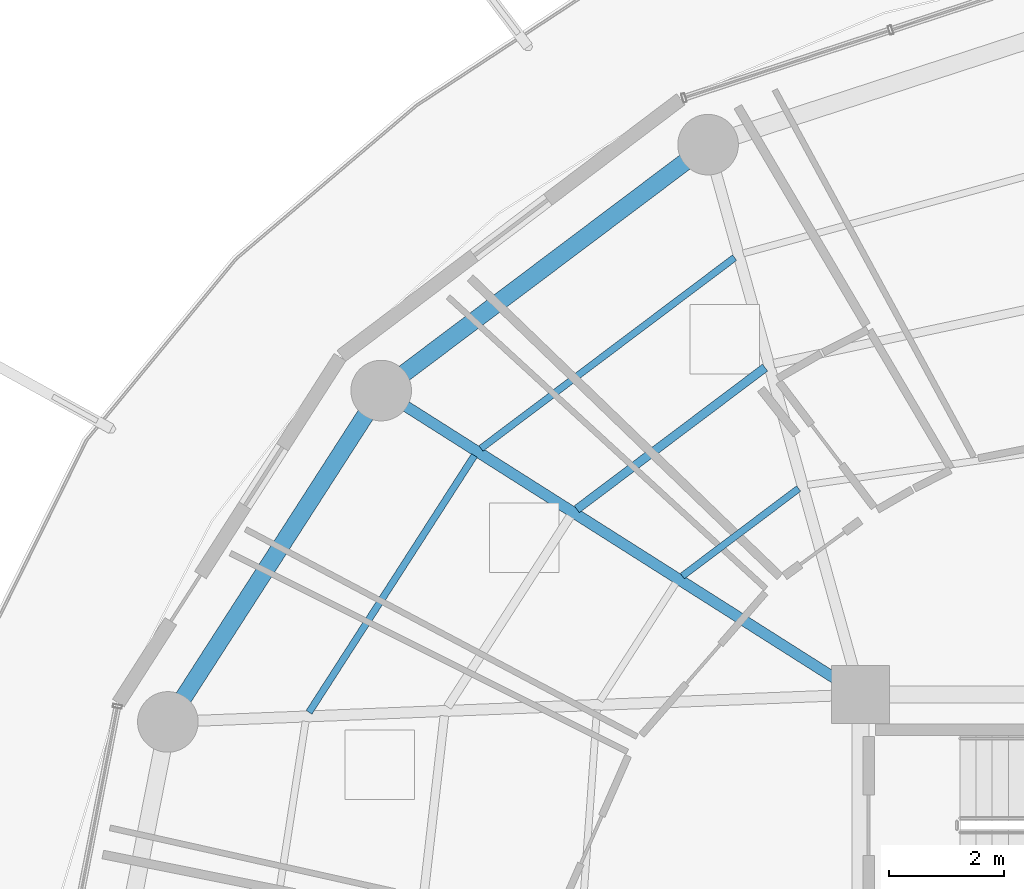
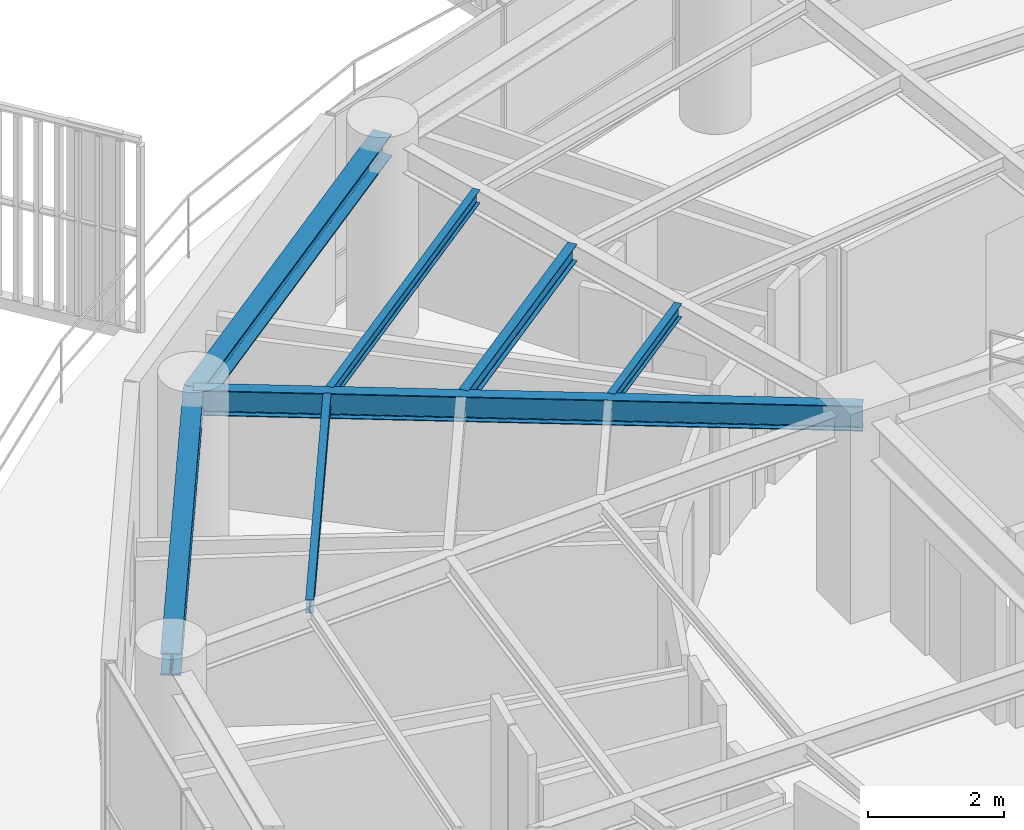
# One storey, part 16 of 30: 7 beams.
"""IFC4 building model written with IfcOpenShell, lengths in metres."""

from ifc_helpers import new_model, si_unit, direction, frame, origin, origin_2d, place, context, subcontext, project, spatial, i_section, extrude, material, material_profile, profile_set, type_object, element, save


model = new_model("IFC4")

# Units and contexts
model_context = context("Model", 3, precision=1e-05, world=origin(), true_north=direction((0.0, 1.0)))
body_context = subcontext(model_context, "Body", "Model", "MODEL_VIEW")
ifc_project = project(units=[si_unit("LENGTHUNIT", "METRE"), si_unit("AREAUNIT", "SQUARE_METRE"), si_unit("VOLUMEUNIT", "CUBIC_METRE"), si_unit("PLANEANGLEUNIT", "RADIAN"), si_unit("MASSUNIT", "GRAM", prefix="KILO")], contexts=[model_context])

# Site, building, storey
site_placement = place(None, origin())
site = spatial("IfcSite", under=ifc_project, at=site_placement, CompositionType="ELEMENT")
building_placement = place(site_placement, origin())
building = spatial("IfcBuilding", under=site, at=building_placement, Name="Kelanora Arch Commons", CompositionType="ELEMENT")
storey_placement = place(building_placement, frame((0.0, 0.0, 234.449951171875)))
storey = spatial("IfcBuildingStorey", under=building, at=storey_placement, Name="L60", CompositionType="ELEMENT", Elevation=234.449951171875)

# Beams
ifc_material = material(Name="Steel S355", Category="steel")
ifc_material_profile_1 = material_profile(ifc_material, i_section(OverallWidth=0.14990234375, OverallDepth=0.300048828125, WebThickness=0.007080078125, FlangeThickness=0.0107421875, FilletRadius=0.014892578125, at=origin_2d()), Name="IPE300")
ifc_profile_set_1 = profile_set([ifc_material_profile_1], Name="Steel S355")
beam_type_1 = type_object("IfcBeamType", Name="BM-JST-01", PredefinedType="JOIST", material=ifc_profile_set_1)
beam_1_placement = place(storey_placement, frame((64.34814453125, 70.6630859375, 3.340087890625), z_axis=(-0.799101708656, -0.601195857624, 0.0), x_axis=(0.601195857624, -0.799101708656, 0.0)))
element("IfcBeam", 1, at=beam_1_placement, inside=storey, type_object=beam_type_1, Name="Secondary Chord Joist BJB-12 L60", PredefinedType="JOIST", context=body_context, shape_type="SweptSolid", body=[
    extrude(i_section(OverallWidth=0.14990234375, OverallDepth=0.300048828125, WebThickness=0.007080078125, FlangeThickness=0.0107421875, FilletRadius=0.014892578125, at=origin_2d()), origin(), (0.0, 0.0, 1.0), 4.080810546875),
])
ifc_material_profile_2 = material_profile(ifc_material, i_section(OverallWidth=0.1201171875, OverallDepth=0.239990234375, WebThickness=0.006103515625, FlangeThickness=0.009765625, FilletRadius=0.014892578125, at=origin_2d()), Name="IPE240")
ifc_profile_set_2 = profile_set([ifc_material_profile_2], Name="Steel S355")
beam_type_2 = type_object("IfcBeamType", Name="BM-JST-02", PredefinedType="JOIST", material=ifc_profile_set_2)
beam_2_placement = place(storey_placement, frame((64.928955078125, 68.56787109375, 3.3701171875), z_axis=(-0.79911638933, -0.601176343766, 0.0), x_axis=(0.601176343766, -0.79911638933, 0.0)))
element("IfcBeam", 2, at=beam_2_placement, inside=storey, type_object=beam_type_2, Name="Secondary Chord Joist BJA-12 L60", PredefinedType="JOIST", context=body_context, shape_type="SweptSolid", body=[
    extrude(i_section(OverallWidth=0.1201171875, OverallDepth=0.239990234375, WebThickness=0.006103515625, FlangeThickness=0.009765625, FilletRadius=0.014892578125, at=origin_2d()), origin(), (0.0, 0.0, 1.0), 2.522216796875),
])
beam_3_placement = place(storey_placement, frame((63.820068359375, 72.56787109375, 3.3701171875), z_axis=(-0.799109197935, -0.601185902842, 0.0), x_axis=(0.601185902842, -0.799109197935, 0.0)))
element("IfcBeam", 3, at=beam_3_placement, inside=storey, type_object=beam_type_2, Name="Secondary Chord Joist BJC-12 L60", PredefinedType="JOIST", context=body_context, shape_type="SweptSolid", body=[
    extrude(i_section(OverallWidth=0.1201171875, OverallDepth=0.239990234375, WebThickness=0.006103515625, FlangeThickness=0.009765625, FilletRadius=0.014892578125, at=origin_2d()), origin(), (0.0, 0.0, 1.0), 5.497802734375),
])
beam_4_placement = place(storey_placement, frame((59.31298828125, 69.14013671875, 3.3701171875), z_axis=(-0.541382492679, -0.840776424872, 0.0), x_axis=(0.840776424872, -0.541382492679, 0.0)))
element("IfcBeam", 4, at=beam_4_placement, inside=storey, type_object=beam_type_2, Name="Secondary Chord Joist BJC-14 L60", PredefinedType="JOIST", context=body_context, shape_type="SweptSolid", body=[
    extrude(i_section(OverallWidth=0.1201171875, OverallDepth=0.239990234375, WebThickness=0.006103515625, FlangeThickness=0.009765625, FilletRadius=0.014892578125, at=origin_2d()), origin(), (0.0, 0.0, 1.0), 5.29052734375),
])
ifc_material_profile_3 = material_profile(ifc_material, i_section(OverallWidth=0.18994140625, OverallDepth=0.449951171875, WebThickness=0.009521484375, FlangeThickness=0.0146484375, FilletRadius=0.02099609375, at=origin_2d()), Name="IPE450")
ifc_profile_set_3 = profile_set([ifc_material_profile_3], Name="Steel S355")
beam_type_3 = type_object("IfcBeamType", Name="BM-RAD-Z4", PredefinedType="BEAM", material=ifc_profile_set_3)
beam_5_placement = place(storey_placement, frame((66.0, 65.0, 3.26513671875), z_axis=(-0.844507208607, 0.535544185489, 0.0), x_axis=(-0.535544185489, -0.844507208607, 0.0)))
element("IfcBeam", 5, at=beam_5_placement, inside=storey, type_object=beam_type_3, Name="Radial Floor Girder BR-14 L60", PredefinedType="BEAM", context=body_context, shape_type="SweptSolid", body=[
    extrude(i_section(OverallWidth=0.18994140625, OverallDepth=0.449951171875, WebThickness=0.009521484375, FlangeThickness=0.0146484375, FilletRadius=0.02099609375, at=origin_2d()), origin(), (0.0, 0.0, 1.0), 9.830078125),
])
ifc_material_profile_4 = material_profile(ifc_material, i_section(OverallWidth=0.300048828125, OverallDepth=0.39990234375, WebThickness=0.013427734375, FlangeThickness=0.02392578125, FilletRadius=0.027099609375, at=origin_2d()), Name="HEB400")
ifc_profile_set_4 = profile_set([ifc_material_profile_4], Name="Steel S355")
beam_type_4 = type_object("IfcBeamType", Name="BM-SPN-Z4", PredefinedType="SPANDREL", material=ifc_profile_set_4)
beam_6_placement = place(storey_placement, frame((63.360107421875, 74.523681640625, 3.2900390625), z_axis=(-0.799114211715, -0.60117923836, 0.0), x_axis=(0.60117923836, -0.799114211715, 0.0)))
element("IfcBeam", 6, at=beam_6_placement, inside=storey, type_object=beam_type_4, Name="Perimeter Spandrel Beam BS-12 L60", PredefinedType="SPANDREL", context=body_context, shape_type="SweptSolid", body=[
    extrude(i_section(OverallWidth=0.300048828125, OverallDepth=0.39990234375, WebThickness=0.013427734375, FlangeThickness=0.02392578125, FilletRadius=0.027099609375, at=origin_2d()), origin(), (0.0, 0.0, 1.0), 7.0849609375),
])
beam_7_placement = place(storey_placement, frame((57.698486328125, 70.264404296875, 3.2900390625), z_axis=(-0.541364878868, -0.840787766281, 0.0), x_axis=(0.840787766281, -0.541364878868, 0.0)))
element("IfcBeam", 7, at=beam_7_placement, inside=storey, type_object=beam_type_4, Name="Perimeter Spandrel Beam BS-14 L60", PredefinedType="SPANDREL", context=body_context, shape_type="SweptSolid", body=[
    extrude(i_section(OverallWidth=0.300048828125, OverallDepth=0.39990234375, WebThickness=0.013427734375, FlangeThickness=0.02392578125, FilletRadius=0.027099609375, at=origin_2d()), origin(), (0.0, 0.0, 1.0), 6.825439453125),
])

save(model, "model.ifc")
